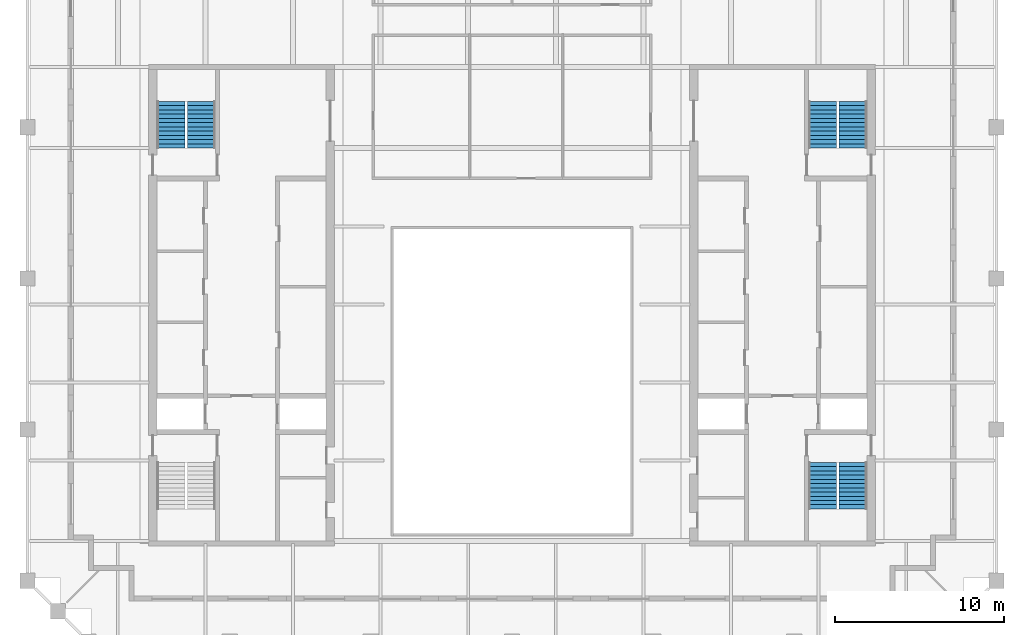
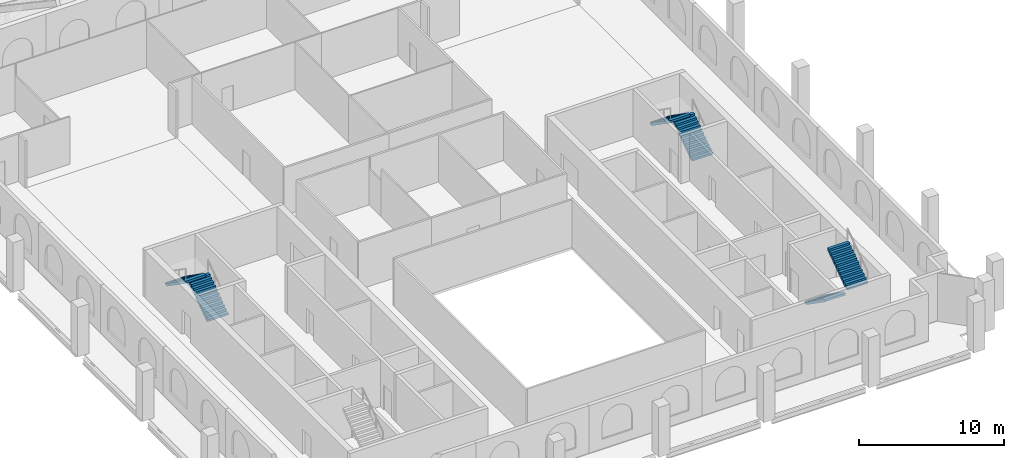
# One storey, part 9 of 10: 6 stair flights, 3 elements without a shape of their own.
"""IFC4 building model written with IfcOpenShell, lengths in metres."""

import ifcopenshell
import ifcopenshell.guid

model = None  # the IFC model being written
_history = None  # IfcOwnerHistory: only IFC2X3 demands one
_inside = {}  # id of a spatial element -> (the spatial element, [elements in it])
_under = {}  # id of a project, library or spatial element -> (it, [spatial elements below it])
_declared = {}  # id of a project -> (the project, [libraries it declares])
_typed = {}  # id of a type object -> (the type object, [elements of that type])
_made_of = {}  # id of a material, layer set ... -> (it, [elements and type objects made of it])


def new_model(schema):
    """Start an empty IFC model of exactly this schema.

    Asked for "IFC4X3", IfcOpenShell would pick the latest addendum, in which some entities
    have other attributes; the version numbers below select the first issue.
    IFC2X3 requires an IfcOwnerHistory on every rooted entity: one is made here for all.
    """
    global model, _history
    if schema == "IFC4X3":
        model = ifcopenshell.file(schema_version=(4, 3, 0, 0))
    else:
        model = ifcopenshell.file(schema=schema)
    _inside.clear()
    _under.clear()
    _declared.clear()
    _typed.clear()
    _made_of.clear()
    _history = None
    if model.schema == "IFC2X3":
        org = make("IfcOrganization", Name="unknown")
        user = make(
            "IfcPersonAndOrganization",
            ThePerson=make("IfcPerson", FamilyName="unknown"),
            TheOrganization=org,
        )
        app = make(
            "IfcApplication",
            ApplicationDeveloper=org,
            Version="unknown",
            ApplicationFullName="unknown",
            ApplicationIdentifier="unknown",
        )
        _history = make(
            "IfcOwnerHistory",
            OwningUser=user,
            OwningApplication=app,
            ChangeAction="ADDED",
            CreationDate=0,
        )
    return model


def make(cls, **values):
    """One entity of the class cls with the attributes given. An attribute that is None is left unset."""
    return model.create_entity(
        cls, **{name: value for name, value in values.items() if value is not None}
    )


def rooted(cls, **values):
    """An entity with a GlobalId (a new one), such as an element, a storey or a relation."""
    return make(cls, GlobalId=ifcopenshell.guid.new(), OwnerHistory=_history, **values)


def si_unit(unit_type, name, prefix=None):
    """IfcSIUnit, for example si_unit("LENGTHUNIT", "METRE", prefix="MILLI")."""
    return make("IfcSIUnit", UnitType=unit_type, Prefix=prefix, Name=name)


def assignment(units):
    """IfcUnitAssignment: the units of a project."""
    return None if units is None else make("IfcUnitAssignment", Units=units)


def point(xyz):
    """IfcCartesianPoint."""
    return None if xyz is None else make("IfcCartesianPoint", Coordinates=xyz)


def direction(xyz):
    """IfcDirection."""
    return None if xyz is None else make("IfcDirection", DirectionRatios=xyz)


def frame(location, z_axis=None, x_axis=None):
    """IfcAxis2Placement3D, a coordinate frame: its origin and axes. An axis left out is left unset."""
    return make(
        "IfcAxis2Placement3D",
        Location=point(location),
        Axis=direction(z_axis),
        RefDirection=direction(x_axis),
    )


def origin():
    """The frame at (0, 0, 0) with its axes left unset."""
    return frame((0.0, 0.0, 0.0))


def place(relative_to, where):
    """IfcLocalPlacement: puts the frame where relative to a parent placement (None: the world)."""
    return make(
        "IfcLocalPlacement", PlacementRelTo=relative_to, RelativePlacement=where
    )


def context(
    kind, dimensions, precision=None, world=None, true_north=None, identifier=None
):
    """IfcGeometricRepresentationContext, for example the 3D "Model" context."""
    return make(
        "IfcGeometricRepresentationContext",
        ContextIdentifier=identifier,
        ContextType=kind,
        CoordinateSpaceDimension=dimensions,
        Precision=precision,
        WorldCoordinateSystem=world,
        TrueNorth=true_north,
    )


def subcontext(parent, identifier, kind, view, scale=None):
    """IfcGeometricRepresentationSubContext, for example "Body" below "Model"."""
    return make(
        "IfcGeometricRepresentationSubContext",
        ContextIdentifier=identifier,
        ContextType=kind,
        ParentContext=parent,
        TargetScale=scale,
        TargetView=view,
    )


def project(units=None, contexts=None):
    """IfcProject with its units and contexts."""
    return rooted(
        "IfcProject",
        Name="project",
        RepresentationContexts=contexts,
        UnitsInContext=assignment(units),
    )


def spatial(cls, under=None, at=None, **own):
    """A site, building, storey or space (cls), placed at a placement, below another one or the project."""
    s = rooted(cls, ObjectPlacement=at, **own)
    if under is not None:
        _under.setdefault(under.id(), (under, []))[1].append(s)
    return s


def polyline(points):
    """IfcPolyline through the points."""
    return make("IfcPolyline", Points=[point(p) for p in points])


def outline(outer, holes=None, kind="AREA"):
    """IfcArbitraryClosedProfileDef: a profile drawn as a closed curve; with holes, ...WithVoids."""
    if holes is None:
        return make("IfcArbitraryClosedProfileDef", ProfileType=kind, OuterCurve=outer)
    return make(
        "IfcArbitraryProfileDefWithVoids",
        ProfileType=kind,
        OuterCurve=outer,
        InnerCurves=holes,
    )


def extrude(swept, where, along, depth):
    """IfcExtrudedAreaSolid: the profile swept, set in the frame where, extruded along a direction by depth."""
    return make(
        "IfcExtrudedAreaSolid",
        SweptArea=swept,
        Position=where,
        ExtrudedDirection=direction(along),
        Depth=depth,
    )


def shape(context_of_items, identifier, shape_type, items):
    """IfcShapeRepresentation: the items that make up one representation, for example the "Body"."""
    return make(
        "IfcShapeRepresentation",
        ContextOfItems=context_of_items,
        RepresentationIdentifier=identifier,
        RepresentationType=shape_type,
        Items=items,
    )


def material(Name=None, Category=None):
    """IfcMaterial."""
    return make("IfcMaterial", Name=Name, Category=Category)


def made_of(thing, what):
    """Note that an element or type object is made of a material, layer set ...; save() writes the relation."""
    if what is not None:
        _made_of.setdefault(what.id(), (what, []))[1].append(thing)
    return thing


def type_object(cls, material=None, **own):
    """A type object (cls), such as IfcWallType, which elements share."""
    return made_of(rooted(cls, **own), material)


def element(
    cls,
    number,
    at=None,
    inside=None,
    cuts=None,
    type_object=None,
    material=None,
    context=None,
    identifier="Body",
    shape_type=None,
    held_by="IfcProductDefinitionShape",
    body=None,
    shapes=None,
    **own,
):
    """One element of the class cls, such as IfcWall. Its Tag is "e" and its number.

    at: its placement. inside: the storey or other place that contains it. cuts: it is an
    opening in that element (IfcRelVoidsElement). A single representation is given by context,
    identifier, shape_type and body (its items); several are given by shapes. held_by: the class
    of the entity that holds the representations. save() writes the other relations.
    """
    e = rooted(cls, Tag="e%d" % number, ObjectPlacement=at, **own)
    if body is not None:
        shapes = [shape(context, identifier, shape_type, body)]
    if shapes is not None:
        e.Representation = make(held_by, Representations=shapes)
    if inside is not None:
        _inside.setdefault(inside.id(), (inside, []))[1].append(e)
    if cuts is not None:
        rooted(
            "IfcRelVoidsElement", RelatingBuildingElement=cuts, RelatedOpeningElement=e
        )
    if type_object is not None:
        _typed.setdefault(type_object.id(), (type_object, []))[1].append(e)
    return made_of(e, material)


def aggregate(whole, parts):
    """IfcRelAggregates: a whole, such as a stair, and the parts it consists of."""
    return rooted("IfcRelAggregates", RelatingObject=whole, RelatedObjects=parts)


def save(model, path):
    """Write the relations noted so far, then the file.

    IfcRelAggregates (storeys below a building ...), IfcRelContainedInSpatialStructure (elements
    in a storey), IfcRelDefinesByType, IfcRelAssociatesMaterial and IfcRelDeclares: one each for
    every whole, place, type object, material and project.
    """
    for whole, parts in _under.values():
        aggregate(whole, parts)
    for where, things in _inside.values():
        rooted(
            "IfcRelContainedInSpatialStructure",
            RelatedElements=things,
            RelatingStructure=where,
        )
    for kind, things in _typed.values():
        rooted("IfcRelDefinesByType", RelatedObjects=things, RelatingType=kind)
    for what, things in _made_of.values():
        rooted("IfcRelAssociatesMaterial", RelatedObjects=things, RelatingMaterial=what)
    for by, libraries in _declared.values():
        rooted("IfcRelDeclares", RelatingContext=by, RelatedDefinitions=libraries)
    model.write(path)


model = new_model("IFC4")

# Units and contexts
model_context = context("Model", 3, precision=1e-05, world=origin(), true_north=direction((0.0, 1.0)))
body_context = subcontext(model_context, "Body", "Model", "MODEL_VIEW")
ifc_project = project(units=[si_unit("LENGTHUNIT", "METRE"), si_unit("AREAUNIT", "SQUARE_METRE"), si_unit("VOLUMEUNIT", "CUBIC_METRE"), si_unit("PLANEANGLEUNIT", "RADIAN"), si_unit("MASSUNIT", "GRAM", prefix="KILO")], contexts=[model_context])

# Site, building, storey
site_placement = place(None, origin())
site = spatial("IfcSite", under=ifc_project, at=site_placement, CompositionType="ELEMENT")
building_placement = place(site_placement, origin())
building = spatial("IfcBuilding", under=site, at=building_placement, Name="Ogive Exchange Tower", CompositionType="ELEMENT")
storey_placement = place(building_placement, frame((0.0, 0.0, 369.0)))
storey = spatial("IfcBuildingStorey", under=building, at=storey_placement, Name="C01", CompositionType="ELEMENT", Elevation=369.0)

# Stair, stair flights
ifc_material = material(Name="Concrete C40/50", Category="concrete")
stair_type = type_object("IfcStairType", Name="Exit stair 1650 wide", PredefinedType="HALF_TURN_STAIR", material=ifc_material)
stair_1_placement = place(storey_placement, origin())
stair_1 = element("IfcStair", 1, at=stair_1_placement, inside=storey, type_object=stair_type, Name="C01 exit stair ST2", PredefinedType="HALF_TURN_STAIR")
stair_flight_type = type_object("IfcStairFlightType", Name="Stair flight 1650 wide", PredefinedType="STRAIGHT", material=ifc_material)
stair_flight_1_placement = place(storey_placement, frame((-18.375, 20.800048828125, 0.0), z_axis=(0.0, 0.0, 1.0), x_axis=(0.0, 1.0, 0.0)))
stair_flight_1 = element("IfcStairFlight", 2, at=stair_flight_1_placement, type_object=stair_flight_type, Name="ST2 flight 1", NumberOfRisers=12, NumberOfTreads=11, PredefinedType="STRAIGHT", RiserHeight=0.175, TreadLength=0.25, context=body_context, shape_type="SweptSolid", body=[
    extrude(outline(polyline([(0.0, 0.0), (0.0, 0.175048828125), (0.25, 0.175048828125), (0.25, 0.35009765625), (0.5, 0.35009765625), (0.5, 0.52490234375), (0.75, 0.52490234375), (0.75, 0.699951171875), (1.0, 0.699951171875), (1.0, 0.875), (1.25, 0.875), (1.25, 1.050048828125), (1.5, 1.050048828125), (1.5, 1.22509765625), (1.75, 1.22509765625), (1.75, 1.39990234375), (2.0, 1.39990234375), (2.0, 1.574951171875), (2.25, 1.574951171875), (2.25, 1.75), (2.5, 1.75), (2.5, 1.925048828125), (2.75, 1.925048828125), (2.75, 2.10009765625), (2.75, 1.741943359375), (0.261474609375, 0.0), (0.0, 0.0)])), frame((0.0, 0.824951171875, 0.0), z_axis=(0.0, -1.0, 0.0), x_axis=(1.0, 0.0, 0.0)), (0.0, 0.0, 1.0), 1.64990234375),
])
stair_flight_2_placement = place(storey_placement, frame((-20.175048828125, 23.550048828125, 2.10009765625), z_axis=(0.0, 0.0, 1.0), x_axis=(0.0, -1.0, 0.0)))
stair_flight_2 = element("IfcStairFlight", 3, at=stair_flight_2_placement, type_object=stair_flight_type, Name="ST2 flight 2", NumberOfRisers=12, NumberOfTreads=11, PredefinedType="STRAIGHT", RiserHeight=0.175, TreadLength=0.25, context=body_context, shape_type="SweptSolid", body=[
    extrude(outline(polyline([(0.0, 0.0), (0.0, 0.175048828125), (0.25, 0.175048828125), (0.25, 0.35009765625), (0.5, 0.35009765625), (0.5, 0.52490234375), (0.75, 0.52490234375), (0.75, 0.699951171875), (1.0, 0.699951171875), (1.0, 0.875), (1.25, 0.875), (1.25, 1.050048828125), (1.5, 1.050048828125), (1.5, 1.22509765625), (1.75, 1.22509765625), (1.75, 1.39990234375), (2.0, 1.39990234375), (2.0, 1.574951171875), (2.25, 1.574951171875), (2.25, 1.75), (2.5, 1.75), (2.5, 1.925048828125), (2.75, 1.925048828125), (2.75, 2.10009765625), (2.75, 1.741943359375), (0.261474609375, 0.0), (0.0, 0.0)])), frame((0.0, 0.824951171875, 0.0), z_axis=(0.0, -1.0, 0.0), x_axis=(1.0, 0.0, 0.0)), (0.0, 0.0, 1.0), 1.64990234375),
])
aggregate(stair_1, [stair_flight_1, stair_flight_2])

stair_2_placement = place(storey_placement, origin())
stair_2 = element("IfcStair", 4, at=stair_2_placement, inside=storey, type_object=stair_type, Name="C01 exit stair ST3", PredefinedType="HALF_TURN_STAIR")
stair_flight_3_placement = place(storey_placement, frame((18.375, 2.199951171875, 0.0), z_axis=(0.0, 0.0, 1.0), x_axis=(0.0, -1.0, 0.0)))
stair_flight_3 = element("IfcStairFlight", 5, at=stair_flight_3_placement, type_object=stair_flight_type, Name="ST3 flight 1", NumberOfRisers=12, NumberOfTreads=11, PredefinedType="STRAIGHT", RiserHeight=0.175, TreadLength=0.25, context=body_context, shape_type="SweptSolid", body=[
    extrude(outline(polyline([(0.0, 0.0), (0.0, 0.175048828125), (0.25, 0.175048828125), (0.25, 0.35009765625), (0.5, 0.35009765625), (0.5, 0.52490234375), (0.75, 0.52490234375), (0.75, 0.699951171875), (1.0, 0.699951171875), (1.0, 0.875), (1.25, 0.875), (1.25, 1.050048828125), (1.5, 1.050048828125), (1.5, 1.22509765625), (1.75, 1.22509765625), (1.75, 1.39990234375), (2.0, 1.39990234375), (2.0, 1.574951171875), (2.25, 1.574951171875), (2.25, 1.75), (2.5, 1.75), (2.5, 1.925048828125), (2.75, 1.925048828125), (2.75, 2.10009765625), (2.75, 1.741943359375), (0.261474609375, 0.0), (0.0, 0.0)])), frame((0.0, 0.824951171875, 0.0), z_axis=(0.0, -1.0, 0.0), x_axis=(1.0, 0.0, 0.0)), (0.0, 0.0, 1.0), 1.64990234375),
])
stair_flight_4_placement = place(storey_placement, frame((20.175048828125, -0.550048828125, 2.10009765625), z_axis=(0.0, 0.0, 1.0), x_axis=(0.0, 1.0, 0.0)))
stair_flight_4 = element("IfcStairFlight", 6, at=stair_flight_4_placement, type_object=stair_flight_type, Name="ST3 flight 2", NumberOfRisers=12, NumberOfTreads=11, PredefinedType="STRAIGHT", RiserHeight=0.175, TreadLength=0.25, context=body_context, shape_type="SweptSolid", body=[
    extrude(outline(polyline([(0.0, 0.0), (0.0, 0.175048828125), (0.25, 0.175048828125), (0.25, 0.35009765625), (0.5, 0.35009765625), (0.5, 0.52490234375), (0.75, 0.52490234375), (0.75, 0.699951171875), (1.0, 0.699951171875), (1.0, 0.875), (1.25, 0.875), (1.25, 1.050048828125), (1.5, 1.050048828125), (1.5, 1.22509765625), (1.75, 1.22509765625), (1.75, 1.39990234375), (2.0, 1.39990234375), (2.0, 1.574951171875), (2.25, 1.574951171875), (2.25, 1.75), (2.5, 1.75), (2.5, 1.925048828125), (2.75, 1.925048828125), (2.75, 2.10009765625), (2.75, 1.741943359375), (0.261474609375, 0.0), (0.0, 0.0)])), frame((0.0, 0.824951171875, 0.0), z_axis=(0.0, -1.0, 0.0), x_axis=(1.0, 0.0, 0.0)), (0.0, 0.0, 1.0), 1.64990234375),
])
aggregate(stair_2, [stair_flight_3, stair_flight_4])

stair_3_placement = place(storey_placement, origin())
stair_3 = element("IfcStair", 7, at=stair_3_placement, inside=storey, type_object=stair_type, Name="C01 exit stair ST4", PredefinedType="HALF_TURN_STAIR")
stair_flight_5_placement = place(storey_placement, frame((20.175048828125, 20.800048828125, 0.0), z_axis=(0.0, 0.0, 1.0), x_axis=(0.0, 1.0, 0.0)))
stair_flight_5 = element("IfcStairFlight", 8, at=stair_flight_5_placement, type_object=stair_flight_type, Name="ST4 flight 1", NumberOfRisers=12, NumberOfTreads=11, PredefinedType="STRAIGHT", RiserHeight=0.175, TreadLength=0.25, context=body_context, shape_type="SweptSolid", body=[
    extrude(outline(polyline([(0.0, 0.0), (0.0, 0.175048828125), (0.25, 0.175048828125), (0.25, 0.35009765625), (0.5, 0.35009765625), (0.5, 0.52490234375), (0.75, 0.52490234375), (0.75, 0.699951171875), (1.0, 0.699951171875), (1.0, 0.875), (1.25, 0.875), (1.25, 1.050048828125), (1.5, 1.050048828125), (1.5, 1.22509765625), (1.75, 1.22509765625), (1.75, 1.39990234375), (2.0, 1.39990234375), (2.0, 1.574951171875), (2.25, 1.574951171875), (2.25, 1.75), (2.5, 1.75), (2.5, 1.925048828125), (2.75, 1.925048828125), (2.75, 2.10009765625), (2.75, 1.741943359375), (0.261474609375, 0.0), (0.0, 0.0)])), frame((0.0, 0.824951171875, 0.0), z_axis=(0.0, -1.0, 0.0), x_axis=(1.0, 0.0, 0.0)), (0.0, 0.0, 1.0), 1.64990234375),
])
stair_flight_6_placement = place(storey_placement, frame((18.375, 23.550048828125, 2.10009765625), z_axis=(0.0, 0.0, 1.0), x_axis=(0.0, -1.0, 0.0)))
stair_flight_6 = element("IfcStairFlight", 9, at=stair_flight_6_placement, type_object=stair_flight_type, Name="ST4 flight 2", NumberOfRisers=12, NumberOfTreads=11, PredefinedType="STRAIGHT", RiserHeight=0.175, TreadLength=0.25, context=body_context, shape_type="SweptSolid", body=[
    extrude(outline(polyline([(0.0, 0.0), (0.0, 0.175048828125), (0.25, 0.175048828125), (0.25, 0.35009765625), (0.5, 0.35009765625), (0.5, 0.52490234375), (0.75, 0.52490234375), (0.75, 0.699951171875), (1.0, 0.699951171875), (1.0, 0.875), (1.25, 0.875), (1.25, 1.050048828125), (1.5, 1.050048828125), (1.5, 1.22509765625), (1.75, 1.22509765625), (1.75, 1.39990234375), (2.0, 1.39990234375), (2.0, 1.574951171875), (2.25, 1.574951171875), (2.25, 1.75), (2.5, 1.75), (2.5, 1.925048828125), (2.75, 1.925048828125), (2.75, 2.10009765625), (2.75, 1.741943359375), (0.261474609375, 0.0), (0.0, 0.0)])), frame((0.0, 0.824951171875, 0.0), z_axis=(0.0, -1.0, 0.0), x_axis=(1.0, 0.0, 0.0)), (0.0, 0.0, 1.0), 1.64990234375),
])
aggregate(stair_3, [stair_flight_5, stair_flight_6])

save(model, "model.ifc")
